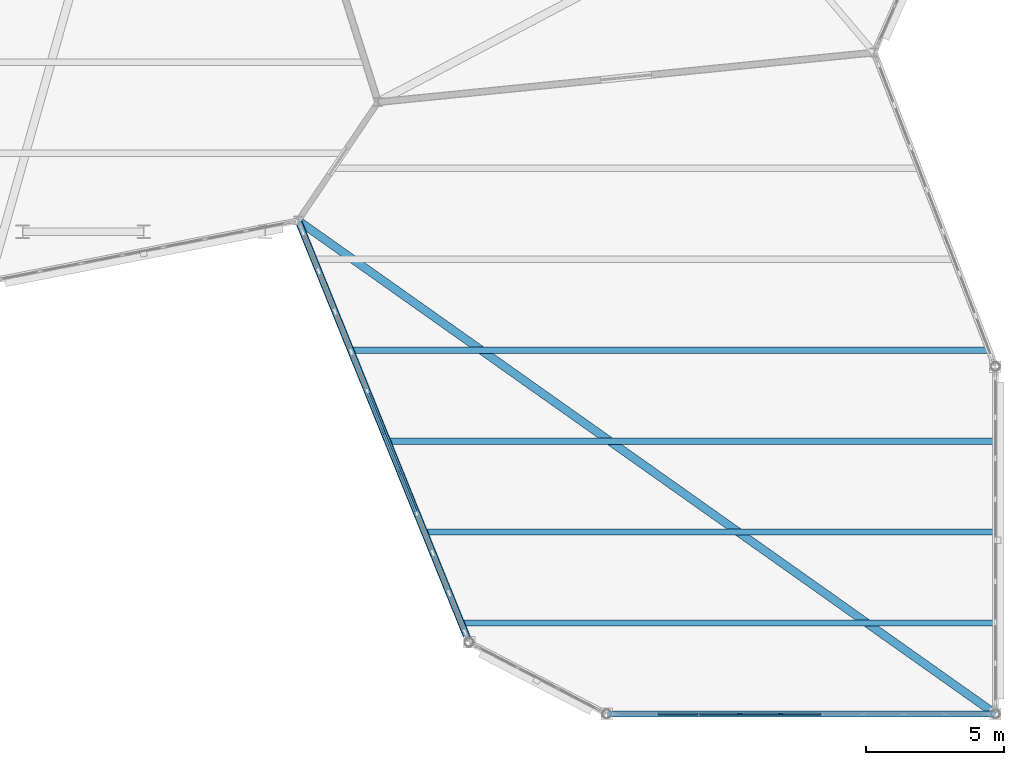
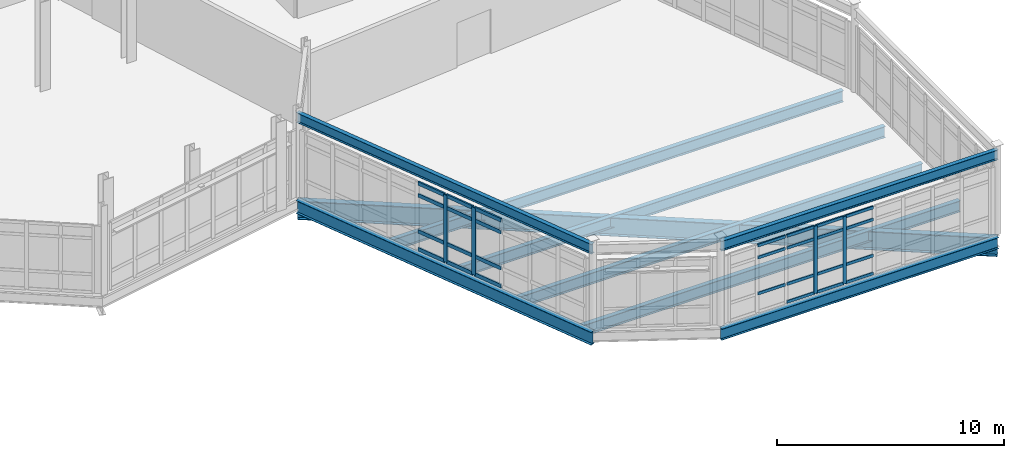
# One storey, part 66 of 134: 31 members, 9 beams, 2 elements without a shape of their own.
"""IFC4 building model written with IfcOpenShell, lengths in metres."""

from ifc_helpers import new_model, si_unit, direction, frame, origin, origin_2d, place, context, subcontext, project, spatial, rectangle, i_section, extrude, material, material_profile, profile_set, type_object, element, aggregate, save


model = new_model("IFC4")

# Units and contexts
model_context = context("Model", 3, precision=1e-05, world=origin(), true_north=direction((0.0, 1.0)))
body_context = subcontext(model_context, "Body", "Model", "MODEL_VIEW")
ifc_project = project(units=[si_unit("LENGTHUNIT", "METRE"), si_unit("AREAUNIT", "SQUARE_METRE"), si_unit("VOLUMEUNIT", "CUBIC_METRE"), si_unit("PLANEANGLEUNIT", "RADIAN"), si_unit("MASSUNIT", "GRAM", prefix="KILO")], contexts=[model_context])

# Site, building, storey
site_placement = place(None, origin())
site = spatial("IfcSite", under=ifc_project, at=site_placement, CompositionType="ELEMENT")
building_placement = place(site_placement, origin())
building = spatial("IfcBuilding", under=site, at=building_placement, Name="Tameran Prism Museum", CompositionType="ELEMENT")
storey_placement = place(building_placement, frame((0.0, 0.0, 5.39990234375)))
storey = spatial("IfcBuildingStorey", under=building, at=storey_placement, Name="L01", CompositionType="ELEMENT", Elevation=5.39990234375)

# Beams
ifc_material_1 = material(Name="Steel Grade 300PLUS (300 MPa)", Category="steel")
ifc_material_profile_1 = material_profile(ifc_material_1, i_section(OverallWidth=0.208984375, OverallDepth=0.528076171875, WebThickness=0.009521484375, FlangeThickness=0.01318359375, FilletRadius=0.013916015625, at=origin_2d()))
ifc_profile_set_1 = profile_set([ifc_material_profile_1])
beam_type_1 = type_object("IfcBeamType", Name="BM-SP530B", PredefinedType="SPANDREL", material=ifc_profile_set_1)
beam_1_placement = place(storey_placement, frame((141.10009765625, 17.89990234375, 4.256103515625), z_axis=(0.375566075137, -0.926795621055, 0.0), x_axis=(0.926795621055, 0.375566075137, 0.0)))
element("IfcBeam", 1, at=beam_1_placement, inside=storey, type_object=beam_type_1, Name="Roof Ring Beam RB-0377", PredefinedType="SPANDREL", context=body_context, shape_type="SweptSolid", body=[
    extrude(i_section(OverallWidth=0.208984375, OverallDepth=0.528076171875, WebThickness=0.009521484375, FlangeThickness=0.01318359375, FilletRadius=0.013916015625, at=origin_2d()), origin(), (0.0, 0.0, 1.0), 16.50830078125),
])
beam_2_placement = place(storey_placement, frame((152.300048828125, 0.0, 4.256103515625), z_axis=(1.0, 0.0, 0.0), x_axis=(0.0, 1.0, 0.0)))
element("IfcBeam", 2, at=beam_2_placement, inside=storey, type_object=beam_type_1, Name="Roof Ring Beam RB-0379", PredefinedType="SPANDREL", context=body_context, shape_type="SweptSolid", body=[
    extrude(i_section(OverallWidth=0.208984375, OverallDepth=0.528076171875, WebThickness=0.009521484375, FlangeThickness=0.01318359375, FilletRadius=0.013916015625, at=origin_2d()), origin(), (0.0, 0.0, 1.0), 14.099853515625),
])
ifc_material_2 = material(Name="Steel Grade 300PLUS (300 MPa)", Category="steel")
ifc_material_profile_2 = material_profile(ifc_material_2, i_section(OverallWidth=0.22802734375, OverallDepth=0.60205078125, WebThickness=0.010498046875, FlangeThickness=0.014892578125, FilletRadius=0.013916015625, at=origin_2d()))
ifc_profile_set_2 = profile_set([ifc_material_profile_2])
beam_type_2 = type_object("IfcBeamType", Name="BM-SP610", PredefinedType="SPANDREL", material=ifc_profile_set_2)
beam_3_placement = place(storey_placement, frame((152.300048828125, 0.0, -0.5009765625), z_axis=(1.0, 0.0, 0.0), x_axis=(0.0, 1.0, 0.0)))
element("IfcBeam", 3, at=beam_3_placement, inside=storey, type_object=beam_type_2, Name="Perimeter Spandrel SP-0373", PredefinedType="SPANDREL", context=body_context, shape_type="SweptSolid", body=[
    extrude(i_section(OverallWidth=0.22802734375, OverallDepth=0.60205078125, WebThickness=0.010498046875, FlangeThickness=0.014892578125, FilletRadius=0.013916015625, at=origin_2d()), origin(), (0.0, 0.0, 1.0), 14.099853515625),
])
ifc_material_3 = material(Name="Steel Grade 350 (350 MPa)", Category="steel")
ifc_material_profile_3 = material_profile(ifc_material_3, i_section(OverallWidth=0.25, OverallDepth=0.699951171875, WebThickness=0.010009765625, FlangeThickness=0.02001953125, at=origin_2d()))
ifc_profile_set_3 = profile_set([ifc_material_profile_3])
beam_type_3 = type_object("IfcBeamType", Name="BM-SP700", PredefinedType="SPANDREL", material=ifc_profile_set_3)
beam_4_placement = place(storey_placement, frame((141.10009765625, 17.89990234375, -0.5498046875), z_axis=(0.375566075137, -0.926795621055, 0.0), x_axis=(0.926795621055, 0.375566075137, 0.0)))
element("IfcBeam", 4, at=beam_4_placement, inside=storey, type_object=beam_type_3, Name="Perimeter Spandrel SP-0371", PredefinedType="SPANDREL", context=body_context, shape_type="SweptSolid", body=[
    extrude(i_section(OverallWidth=0.25, OverallDepth=0.699951171875, WebThickness=0.010009765625, FlangeThickness=0.02001953125, at=origin_2d()), origin(), (0.0, 0.0, 1.0), 16.50830078125),
])
ifc_material_4 = material(Name="Steel Grade 300PLUS (300 MPa)", Category="steel")
ifc_material_profile_4 = material_profile(ifc_material_4, i_section(OverallWidth=0.22802734375, OverallDepth=0.60693359375, WebThickness=0.01123046875, FlangeThickness=0.017333984375, FilletRadius=0.013916015625, at=origin_2d()))
ifc_profile_set_4 = profile_set([ifc_material_profile_4])
beam_type_4 = type_object("IfcBeamType", Name="BM-UB610B", PredefinedType="BEAM", material=ifc_profile_set_4)
beam_5_placement = place(storey_placement, frame((147.05908203125, 3.300048828125, -0.50341796875), z_axis=(1.0, 0.0, 0.0), x_axis=(0.0, 1.0, 0.0)))
element("IfcBeam", 5, at=beam_5_placement, inside=storey, type_object=beam_type_4, Name="Floor Beam BM-0577", PredefinedType="BEAM", context=body_context, shape_type="SweptSolid", body=[
    extrude(i_section(OverallWidth=0.22802734375, OverallDepth=0.60693359375, WebThickness=0.01123046875, FlangeThickness=0.017333984375, FilletRadius=0.013916015625, at=origin_2d()), origin(), (0.0, 0.0, 1.0), 19.301025390625),
])
beam_6_placement = place(storey_placement, frame((145.721923828125, 6.60009765625, -0.50341796875), z_axis=(1.0, 0.0, 0.0), x_axis=(0.0, 1.0, 0.0)))
element("IfcBeam", 6, at=beam_6_placement, inside=storey, type_object=beam_type_4, Name="Floor Beam BM-0578", PredefinedType="BEAM", context=body_context, shape_type="SweptSolid", body=[
    extrude(i_section(OverallWidth=0.22802734375, OverallDepth=0.60693359375, WebThickness=0.01123046875, FlangeThickness=0.017333984375, FilletRadius=0.013916015625, at=origin_2d()), origin(), (0.0, 0.0, 1.0), 20.63818359375),
])
beam_7_placement = place(storey_placement, frame((144.385009765625, 9.89990234375, -0.50341796875), z_axis=(1.0, 0.0, 0.0), x_axis=(0.0, 1.0, 0.0)))
element("IfcBeam", 7, at=beam_7_placement, inside=storey, type_object=beam_type_4, Name="Floor Beam BM-0579", PredefinedType="BEAM", context=body_context, shape_type="SweptSolid", body=[
    extrude(i_section(OverallWidth=0.22802734375, OverallDepth=0.60693359375, WebThickness=0.01123046875, FlangeThickness=0.017333984375, FilletRadius=0.013916015625, at=origin_2d()), origin(), (0.0, 0.0, 1.0), 21.97509765625),
])
beam_8_placement = place(storey_placement, frame((143.048095703125, 13.199951171875, -0.50341796875), z_axis=(1.0, 0.0, 0.0), x_axis=(0.0, 1.0, 0.0)))
element("IfcBeam", 8, at=beam_8_placement, inside=storey, type_object=beam_type_4, Name="Floor Beam BM-0580", PredefinedType="BEAM", context=body_context, shape_type="SweptSolid", body=[
    extrude(i_section(OverallWidth=0.22802734375, OverallDepth=0.60693359375, WebThickness=0.01123046875, FlangeThickness=0.017333984375, FilletRadius=0.013916015625, at=origin_2d()), origin(), (0.0, 0.0, 1.0), 23.077880859375),
])
ifc_material_5 = material(Name="Steel Grade 350 (350 MPa)", Category="steel")
ifc_material_profile_5 = material_profile(ifc_material_5, i_section(OverallWidth=0.300048828125, OverallDepth=1.0, WebThickness=0.01611328125, FlangeThickness=0.031982421875, at=origin_2d()))
ifc_profile_set_5 = profile_set([ifc_material_profile_5])
beam_type_5 = type_object("IfcBeamType", Name="BM-WB1000", PredefinedType="BEAM", material=ifc_profile_set_5)
beam_9_placement = place(storey_placement, frame((141.10009765625, 17.89990234375, -0.699951171875), z_axis=(0.816340810991, -0.57757049813, 0.0), x_axis=(0.57757049813, 0.816340810991, 0.0)))
element("IfcBeam", 9, at=beam_9_placement, inside=storey, type_object=beam_type_5, Name="Primary Vertex Girder PG-0383", PredefinedType="BEAM", context=body_context, shape_type="SweptSolid", body=[
    extrude(i_section(OverallWidth=0.300048828125, OverallDepth=1.0, WebThickness=0.01611328125, FlangeThickness=0.031982421875, at=origin_2d()), origin(), (0.0, 0.0, 1.0), 30.99169921875),
])

# Curtain wall, members
ifc_material_6 = material(Name="Anodised Aluminium 6063-T6 and Cyclone Solar Glass", Category="aluminium")
curtain_wall_type_1 = type_object("IfcCurtainWallType", Name="CW-FAC-1340x362", PredefinedType="USERDEFINED", material=ifc_material_6)
curtain_wall_1_placement = place(storey_placement, origin())
curtain_wall_1 = element("IfcCurtainWall", 10, at=curtain_wall_1_placement, inside=storey, type_object=curtain_wall_type_1, Name="Unitised Curtain Wall CW-080", ObjectType="UNITISED CURTAIN WALL", PredefinedType="USERDEFINED")
ifc_material_7 = material(Name="Anodised Aluminium Alloy 6063-T6", Category="aluminium")
ifc_material_profile_6 = material_profile(ifc_material_7, rectangle(XDim=0.070068359375, YDim=0.179931640625, at=origin_2d()))
ifc_profile_set_6 = profile_set([ifc_material_profile_6])
member_type_1 = type_object("IfcMemberType", Name="CW-MUL-B", PredefinedType="MULLION", material=ifc_profile_set_6)
member_1_placement = place(storey_placement, frame((158.60546875, 0.0, 0.0), z_axis=(0.0, 0.0, 1.0), x_axis=(0.0, -1.0, 0.0)))
member_1 = element("IfcMember", 11, at=member_1_placement, type_object=member_type_1, Name="CW-080 mullion 6", PredefinedType="MULLION", context=body_context, shape_type="SweptSolid", body=[
    extrude(rectangle(XDim=0.070068359375, YDim=0.179931640625, at=origin_2d()), origin(), (0.0, 0.0, 1.0), 3.6201171875),
])
member_2_placement = place(storey_placement, frame((157.11669921875, 0.0, 0.0), z_axis=(0.0, 0.0, 1.0), x_axis=(0.0, -1.0, 0.0)))
member_2 = element("IfcMember", 12, at=member_2_placement, type_object=member_type_1, Name="CW-080 mullion 7", PredefinedType="MULLION", context=body_context, shape_type="SweptSolid", body=[
    extrude(rectangle(XDim=0.070068359375, YDim=0.179931640625, at=origin_2d()), origin(), (0.0, 0.0, 1.0), 3.6201171875),
])

ifc_material_8 = material(Name="Anodised Aluminium 6063-T6 and Cyclone Solar Glass", Category="aluminium")
curtain_wall_type_2 = type_object("IfcCurtainWallType", Name="CW-FAC-1575x362", PredefinedType="USERDEFINED", material=ifc_material_8)
curtain_wall_2_placement = place(storey_placement, origin())
curtain_wall_2 = element("IfcCurtainWall", 13, at=curtain_wall_2_placement, inside=storey, type_object=curtain_wall_type_2, Name="Unitised Curtain Wall CW-078", ObjectType="UNITISED CURTAIN WALL", PredefinedType="USERDEFINED")
ifc_material_9 = material(Name="Anodised Aluminium Alloy 6063-T6", Category="aluminium")
ifc_material_profile_7 = material_profile(ifc_material_9, rectangle(XDim=0.080078125, YDim=0.219970703125, at=origin_2d()))
ifc_profile_set_7 = profile_set([ifc_material_profile_7])
member_type_2 = type_object("IfcMemberType", Name="CW-MUL-D", PredefinedType="MULLION", material=ifc_profile_set_7)
member_3_placement = place(storey_placement, frame((144.802978515625, 8.762451171875, 0.0), z_axis=(0.0, 0.0, 1.0), x_axis=(-0.926790048719, -0.375579825863, 0.0)))
member_3 = element("IfcMember", 14, at=member_3_placement, type_object=member_type_2, Name="CW-078 mullion 5", PredefinedType="MULLION", context=body_context, shape_type="SweptSolid", body=[
    extrude(rectangle(XDim=0.080078125, YDim=0.219970703125, at=origin_2d()), origin(), (0.0, 0.0, 1.0), 3.6201171875),
])
member_4_placement = place(storey_placement, frame((144.21142578125, 10.221923828125, 0.0), z_axis=(0.0, 0.0, 1.0), x_axis=(-0.926790048719, -0.375579825863, 0.0)))
member_4 = element("IfcMember", 15, at=member_4_placement, type_object=member_type_2, Name="CW-078 mullion 6", PredefinedType="MULLION", context=body_context, shape_type="SweptSolid", body=[
    extrude(rectangle(XDim=0.080078125, YDim=0.219970703125, at=origin_2d()), origin(), (0.0, 0.0, 1.0), 3.6201171875),
])

# Member
ifc_material_10 = material(Name="Anodised Aluminium Alloy 6063-T6", Category="aluminium")
ifc_material_profile_8 = material_profile(ifc_material_10, rectangle(XDim=0.070068359375, YDim=0.155029296875, at=origin_2d()))
ifc_profile_set_8 = profile_set([ifc_material_profile_8])
member_type_3 = type_object("IfcMemberType", Name="CW-TRN-B", PredefinedType="USERDEFINED", material=ifc_profile_set_8)
member_5_placement = place(storey_placement, frame((160.059326171875, 0.0, 0.03515625), z_axis=(-1.0, 0.0, 0.0), x_axis=(0.0, -1.0, 0.0)))
member_5 = element("IfcMember", 16, at=member_5_placement, type_object=member_type_3, Name="CW-080 transom 5.1", ObjectType="TRANSOM", PredefinedType="USERDEFINED", context=body_context, shape_type="SweptSolid", body=[
    extrude(rectangle(XDim=0.070068359375, YDim=0.155029296875, at=origin_2d()), origin(), (0.0, 0.0, 1.0), 1.418701171875),
])

member_6_placement = place(storey_placement, frame((160.059326171875, 0.0, 1.0), z_axis=(-1.0, 0.0, 0.0), x_axis=(0.0, -1.0, 0.0)))
member_6 = element("IfcMember", 17, at=member_6_placement, type_object=member_type_3, Name="CW-080 transom 5.2", ObjectType="TRANSOM", PredefinedType="USERDEFINED", context=body_context, shape_type="SweptSolid", body=[
    extrude(rectangle(XDim=0.070068359375, YDim=0.155029296875, at=origin_2d()), origin(), (0.0, 0.0, 1.0), 1.418701171875),
])

member_7_placement = place(storey_placement, frame((160.059326171875, 0.0, 2.940185546875), z_axis=(-1.0, 0.0, 0.0), x_axis=(0.0, -1.0, 0.0)))
member_7 = element("IfcMember", 18, at=member_7_placement, type_object=member_type_3, Name="CW-080 transom 5.3", ObjectType="TRANSOM", PredefinedType="USERDEFINED", context=body_context, shape_type="SweptSolid", body=[
    extrude(rectangle(XDim=0.070068359375, YDim=0.155029296875, at=origin_2d()), origin(), (0.0, 0.0, 1.0), 1.418701171875),
])

member_8_placement = place(storey_placement, frame((160.059326171875, 0.0, 3.585205078125), z_axis=(-1.0, 0.0, 0.0), x_axis=(0.0, -1.0, 0.0)))
member_8 = element("IfcMember", 19, at=member_8_placement, type_object=member_type_3, Name="CW-080 transom 5.4", ObjectType="TRANSOM", PredefinedType="USERDEFINED", context=body_context, shape_type="SweptSolid", body=[
    extrude(rectangle(XDim=0.070068359375, YDim=0.155029296875, at=origin_2d()), origin(), (0.0, 0.0, 1.0), 1.418701171875),
])

member_9_placement = place(storey_placement, frame((158.570556640625, 0.0, 0.03515625), z_axis=(-1.0, 0.0, 0.0), x_axis=(0.0, -1.0, 0.0)))
member_9 = element("IfcMember", 20, at=member_9_placement, type_object=member_type_3, Name="CW-080 transom 6.1", ObjectType="TRANSOM", PredefinedType="USERDEFINED", context=body_context, shape_type="SweptSolid", body=[
    extrude(rectangle(XDim=0.070068359375, YDim=0.155029296875, at=origin_2d()), origin(), (0.0, 0.0, 1.0), 1.4189453125),
])

member_10_placement = place(storey_placement, frame((158.570556640625, 0.0, 1.0), z_axis=(-1.0, 0.0, 0.0), x_axis=(0.0, -1.0, 0.0)))
member_10 = element("IfcMember", 21, at=member_10_placement, type_object=member_type_3, Name="CW-080 transom 6.2", ObjectType="TRANSOM", PredefinedType="USERDEFINED", context=body_context, shape_type="SweptSolid", body=[
    extrude(rectangle(XDim=0.070068359375, YDim=0.155029296875, at=origin_2d()), origin(), (0.0, 0.0, 1.0), 1.4189453125),
])

member_11_placement = place(storey_placement, frame((158.570556640625, 0.0, 2.940185546875), z_axis=(-1.0, 0.0, 0.0), x_axis=(0.0, -1.0, 0.0)))
member_11 = element("IfcMember", 22, at=member_11_placement, type_object=member_type_3, Name="CW-080 transom 6.3", ObjectType="TRANSOM", PredefinedType="USERDEFINED", context=body_context, shape_type="SweptSolid", body=[
    extrude(rectangle(XDim=0.070068359375, YDim=0.155029296875, at=origin_2d()), origin(), (0.0, 0.0, 1.0), 1.4189453125),
])

member_12_placement = place(storey_placement, frame((158.570556640625, 0.0, 3.585205078125), z_axis=(-1.0, 0.0, 0.0), x_axis=(0.0, -1.0, 0.0)))
member_12 = element("IfcMember", 23, at=member_12_placement, type_object=member_type_3, Name="CW-080 transom 6.4", ObjectType="TRANSOM", PredefinedType="USERDEFINED", context=body_context, shape_type="SweptSolid", body=[
    extrude(rectangle(XDim=0.070068359375, YDim=0.155029296875, at=origin_2d()), origin(), (0.0, 0.0, 1.0), 1.4189453125),
])

member_13_placement = place(storey_placement, frame((157.081787109375, 0.0, 0.03515625), z_axis=(-1.0, 0.0, 0.0), x_axis=(0.0, -1.0, 0.0)))
member_13 = element("IfcMember", 24, at=member_13_placement, type_object=member_type_3, Name="CW-080 transom 7.1", ObjectType="TRANSOM", PredefinedType="USERDEFINED", context=body_context, shape_type="SweptSolid", body=[
    extrude(rectangle(XDim=0.070068359375, YDim=0.155029296875, at=origin_2d()), origin(), (0.0, 0.0, 1.0), 1.4189453125),
])

member_14_placement = place(storey_placement, frame((157.081787109375, 0.0, 1.0), z_axis=(-1.0, 0.0, 0.0), x_axis=(0.0, -1.0, 0.0)))
member_14 = element("IfcMember", 25, at=member_14_placement, type_object=member_type_3, Name="CW-080 transom 7.2", ObjectType="TRANSOM", PredefinedType="USERDEFINED", context=body_context, shape_type="SweptSolid", body=[
    extrude(rectangle(XDim=0.070068359375, YDim=0.155029296875, at=origin_2d()), origin(), (0.0, 0.0, 1.0), 1.4189453125),
])

member_15_placement = place(storey_placement, frame((157.081787109375, 0.0, 2.940185546875), z_axis=(-1.0, 0.0, 0.0), x_axis=(0.0, -1.0, 0.0)))
member_15 = element("IfcMember", 26, at=member_15_placement, type_object=member_type_3, Name="CW-080 transom 7.3", ObjectType="TRANSOM", PredefinedType="USERDEFINED", context=body_context, shape_type="SweptSolid", body=[
    extrude(rectangle(XDim=0.070068359375, YDim=0.155029296875, at=origin_2d()), origin(), (0.0, 0.0, 1.0), 1.4189453125),
])

member_16_placement = place(storey_placement, frame((157.081787109375, 0.0, 3.585205078125), z_axis=(-1.0, 0.0, 0.0), x_axis=(0.0, -1.0, 0.0)))
member_16 = element("IfcMember", 27, at=member_16_placement, type_object=member_type_3, Name="CW-080 transom 7.4", ObjectType="TRANSOM", PredefinedType="USERDEFINED", context=body_context, shape_type="SweptSolid", body=[
    extrude(rectangle(XDim=0.070068359375, YDim=0.155029296875, at=origin_2d()), origin(), (0.0, 0.0, 1.0), 1.4189453125),
])

member_17_placement = place(storey_placement, frame((155.5927734375, 0.0, 1.0), z_axis=(-1.0, 0.0, 0.0), x_axis=(0.0, -1.0, 0.0)))
member_17 = element("IfcMember", 28, at=member_17_placement, type_object=member_type_3, Name="CW-080 transom 8.2", ObjectType="TRANSOM", PredefinedType="USERDEFINED", context=body_context, shape_type="SweptSolid", body=[
    extrude(rectangle(XDim=0.070068359375, YDim=0.155029296875, at=origin_2d()), origin(), (0.0, 0.0, 1.0), 1.4189453125),
])

member_18_placement = place(storey_placement, frame((155.5927734375, 0.0, 2.940185546875), z_axis=(-1.0, 0.0, 0.0), x_axis=(0.0, -1.0, 0.0)))
member_18 = element("IfcMember", 29, at=member_18_placement, type_object=member_type_3, Name="CW-080 transom 8.3", ObjectType="TRANSOM", PredefinedType="USERDEFINED", context=body_context, shape_type="SweptSolid", body=[
    extrude(rectangle(XDim=0.070068359375, YDim=0.155029296875, at=origin_2d()), origin(), (0.0, 0.0, 1.0), 1.4189453125),
])

member_19_placement = place(storey_placement, frame((155.5927734375, 0.0, 3.585205078125), z_axis=(-1.0, 0.0, 0.0), x_axis=(0.0, -1.0, 0.0)))
member_19 = element("IfcMember", 30, at=member_19_placement, type_object=member_type_3, Name="CW-080 transom 8.4", ObjectType="TRANSOM", PredefinedType="USERDEFINED", context=body_context, shape_type="SweptSolid", body=[
    extrude(rectangle(XDim=0.070068359375, YDim=0.155029296875, at=origin_2d()), origin(), (0.0, 0.0, 1.0), 1.4189453125),
])

aggregate(curtain_wall_1, [member_1, member_2, member_5, member_6, member_7, member_8, member_9, member_10, member_11, member_12, member_13, member_14, member_15, member_16, member_17, member_18, member_19])

ifc_material_11 = material(Name="Anodised Aluminium Alloy 6063-T6", Category="aluminium")
ifc_material_profile_9 = material_profile(ifc_material_11, rectangle(XDim=0.080078125, YDim=0.195068359375, at=origin_2d()))
ifc_profile_set_9 = profile_set([ifc_material_profile_9])
member_type_4 = type_object("IfcMemberType", Name="CW-TRN-D", PredefinedType="USERDEFINED", material=ifc_profile_set_9)
member_20_placement = place(storey_placement, frame((145.37939453125, 7.33984375, 0.0400390625), z_axis=(-0.375470056843, 0.926834524829, 0.0), x_axis=(-0.926834524829, -0.375470056843, 0.0)))
member_20 = element("IfcMember", 31, at=member_20_placement, type_object=member_type_4, Name="CW-078 transom 4.1", ObjectType="TRANSOM", PredefinedType="USERDEFINED", context=body_context, shape_type="SweptSolid", body=[
    extrude(rectangle(XDim=0.080078125, YDim=0.195068359375, at=origin_2d()), origin(), (0.0, 0.0, 1.0), 1.494873046875),
])

member_21_placement = place(storey_placement, frame((145.37939453125, 7.33984375, 1.0), z_axis=(-0.375470056843, 0.926834524829, 0.0), x_axis=(-0.926834524829, -0.375470056843, 0.0)))
member_21 = element("IfcMember", 32, at=member_21_placement, type_object=member_type_4, Name="CW-078 transom 4.2", ObjectType="TRANSOM", PredefinedType="USERDEFINED", context=body_context, shape_type="SweptSolid", body=[
    extrude(rectangle(XDim=0.080078125, YDim=0.195068359375, at=origin_2d()), origin(), (0.0, 0.0, 1.0), 1.494873046875),
])

member_22_placement = place(storey_placement, frame((145.37939453125, 7.33984375, 2.940185546875), z_axis=(-0.375470056843, 0.926834524829, 0.0), x_axis=(-0.926834524829, -0.375470056843, 0.0)))
member_22 = element("IfcMember", 33, at=member_22_placement, type_object=member_type_4, Name="CW-078 transom 4.3", ObjectType="TRANSOM", PredefinedType="USERDEFINED", context=body_context, shape_type="SweptSolid", body=[
    extrude(rectangle(XDim=0.080078125, YDim=0.195068359375, at=origin_2d()), origin(), (0.0, 0.0, 1.0), 1.494873046875),
])

member_23_placement = place(storey_placement, frame((145.37939453125, 7.33984375, 3.580078125), z_axis=(-0.375470056843, 0.926834524829, 0.0), x_axis=(-0.926834524829, -0.375470056843, 0.0)))
member_23 = element("IfcMember", 34, at=member_23_placement, type_object=member_type_4, Name="CW-078 transom 4.4", ObjectType="TRANSOM", PredefinedType="USERDEFINED", context=body_context, shape_type="SweptSolid", body=[
    extrude(rectangle(XDim=0.080078125, YDim=0.195068359375, at=origin_2d()), origin(), (0.0, 0.0, 1.0), 1.494873046875),
])

member_24_placement = place(storey_placement, frame((144.7880859375, 8.799560546875, 0.0400390625), z_axis=(-0.375667195364, 0.926754637608, 0.0), x_axis=(-0.926754637608, -0.375667195364, 0.0)))
member_24 = element("IfcMember", 35, at=member_24_placement, type_object=member_type_4, Name="CW-078 transom 5.1", ObjectType="TRANSOM", PredefinedType="USERDEFINED", context=body_context, shape_type="SweptSolid", body=[
    extrude(rectangle(XDim=0.080078125, YDim=0.195068359375, at=origin_2d()), origin(), (0.0, 0.0, 1.0), 1.49462890625),
])

member_25_placement = place(storey_placement, frame((144.7880859375, 8.799560546875, 1.0), z_axis=(-0.375667195364, 0.926754637608, 0.0), x_axis=(-0.926754637608, -0.375667195364, 0.0)))
member_25 = element("IfcMember", 36, at=member_25_placement, type_object=member_type_4, Name="CW-078 transom 5.2", ObjectType="TRANSOM", PredefinedType="USERDEFINED", context=body_context, shape_type="SweptSolid", body=[
    extrude(rectangle(XDim=0.080078125, YDim=0.195068359375, at=origin_2d()), origin(), (0.0, 0.0, 1.0), 1.49462890625),
])

member_26_placement = place(storey_placement, frame((144.7880859375, 8.799560546875, 2.940185546875), z_axis=(-0.375667195364, 0.926754637608, 0.0), x_axis=(-0.926754637608, -0.375667195364, 0.0)))
member_26 = element("IfcMember", 37, at=member_26_placement, type_object=member_type_4, Name="CW-078 transom 5.3", ObjectType="TRANSOM", PredefinedType="USERDEFINED", context=body_context, shape_type="SweptSolid", body=[
    extrude(rectangle(XDim=0.080078125, YDim=0.195068359375, at=origin_2d()), origin(), (0.0, 0.0, 1.0), 1.49462890625),
])

member_27_placement = place(storey_placement, frame((144.7880859375, 8.799560546875, 3.580078125), z_axis=(-0.375667195364, 0.926754637608, 0.0), x_axis=(-0.926754637608, -0.375667195364, 0.0)))
member_27 = element("IfcMember", 38, at=member_27_placement, type_object=member_type_4, Name="CW-078 transom 5.4", ObjectType="TRANSOM", PredefinedType="USERDEFINED", context=body_context, shape_type="SweptSolid", body=[
    extrude(rectangle(XDim=0.080078125, YDim=0.195068359375, at=origin_2d()), origin(), (0.0, 0.0, 1.0), 1.49462890625),
])

member_28_placement = place(storey_placement, frame((144.196533203125, 10.259033203125, 0.0400390625), z_axis=(-0.375610338469, 0.926777682961, 0.0), x_axis=(-0.926777682961, -0.375610338469, 0.0)))
member_28 = element("IfcMember", 39, at=member_28_placement, type_object=member_type_4, Name="CW-078 transom 6.1", ObjectType="TRANSOM", PredefinedType="USERDEFINED", context=body_context, shape_type="SweptSolid", body=[
    extrude(rectangle(XDim=0.080078125, YDim=0.195068359375, at=origin_2d()), origin(), (0.0, 0.0, 1.0), 1.494873046875),
])

member_29_placement = place(storey_placement, frame((144.196533203125, 10.259033203125, 1.0), z_axis=(-0.375610338469, 0.926777682961, 0.0), x_axis=(-0.926777682961, -0.375610338469, 0.0)))
member_29 = element("IfcMember", 40, at=member_29_placement, type_object=member_type_4, Name="CW-078 transom 6.2", ObjectType="TRANSOM", PredefinedType="USERDEFINED", context=body_context, shape_type="SweptSolid", body=[
    extrude(rectangle(XDim=0.080078125, YDim=0.195068359375, at=origin_2d()), origin(), (0.0, 0.0, 1.0), 1.494873046875),
])

member_30_placement = place(storey_placement, frame((144.196533203125, 10.259033203125, 2.940185546875), z_axis=(-0.375610338469, 0.926777682961, 0.0), x_axis=(-0.926777682961, -0.375610338469, 0.0)))
member_30 = element("IfcMember", 41, at=member_30_placement, type_object=member_type_4, Name="CW-078 transom 6.3", ObjectType="TRANSOM", PredefinedType="USERDEFINED", context=body_context, shape_type="SweptSolid", body=[
    extrude(rectangle(XDim=0.080078125, YDim=0.195068359375, at=origin_2d()), origin(), (0.0, 0.0, 1.0), 1.494873046875),
])

member_31_placement = place(storey_placement, frame((144.196533203125, 10.259033203125, 3.580078125), z_axis=(-0.375610338469, 0.926777682961, 0.0), x_axis=(-0.926777682961, -0.375610338469, 0.0)))
member_31 = element("IfcMember", 42, at=member_31_placement, type_object=member_type_4, Name="CW-078 transom 6.4", ObjectType="TRANSOM", PredefinedType="USERDEFINED", context=body_context, shape_type="SweptSolid", body=[
    extrude(rectangle(XDim=0.080078125, YDim=0.195068359375, at=origin_2d()), origin(), (0.0, 0.0, 1.0), 1.494873046875),
])

aggregate(curtain_wall_2, [member_3, member_4, member_20, member_21, member_22, member_23, member_24, member_25, member_26, member_27, member_28, member_29, member_30, member_31])

save(model, "model.ifc")
